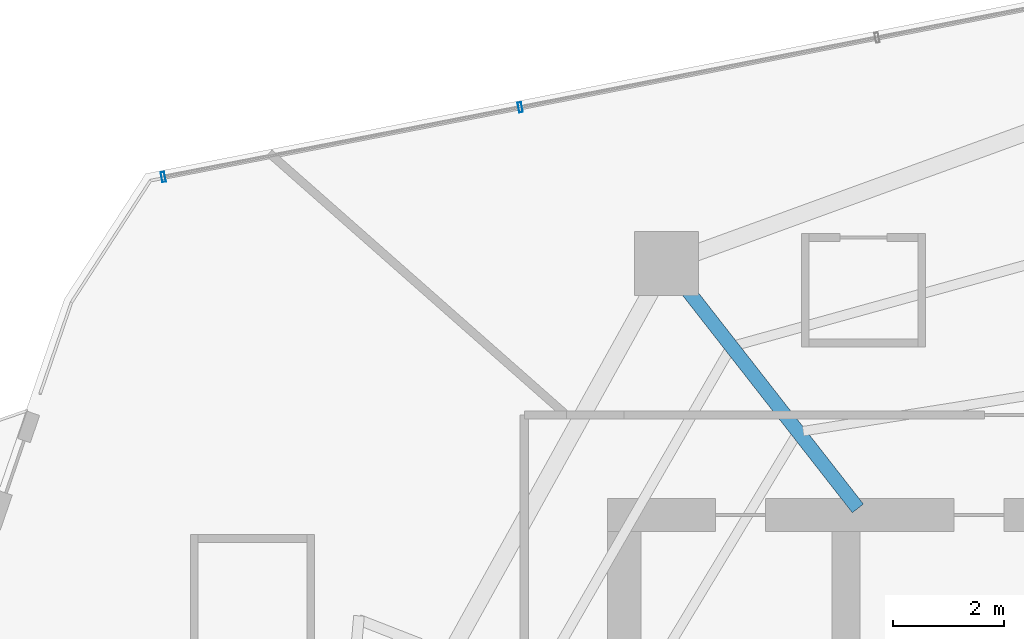
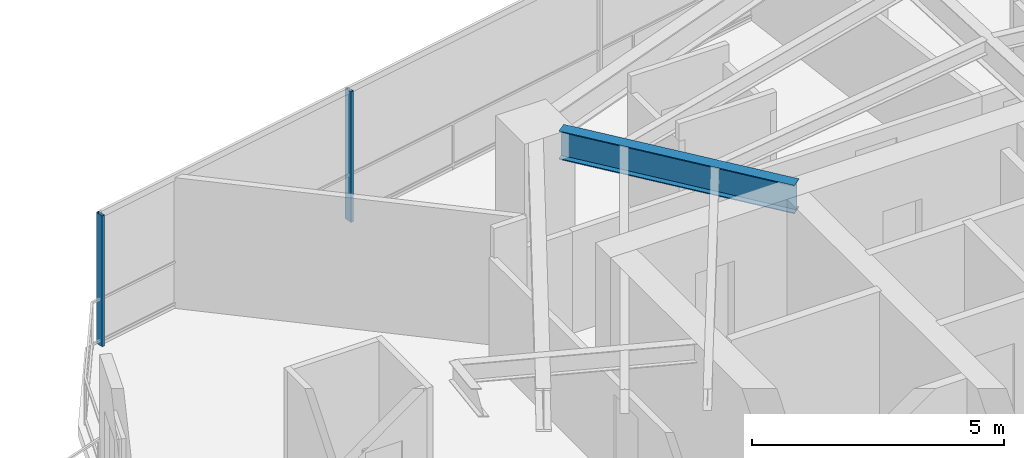
# One storey, part 15 of 27: 2 members, 1 beam, 1 element without a shape of its own.
"""IFC4 building model written with IfcOpenShell, lengths in metres."""

from ifc_helpers import new_model, si_unit, direction, frame, origin, origin_2d, place, context, subcontext, project, spatial, hollow_rectangle, i_section, extrude, material, layer, layer_set, material_profile, profile_set, type_object, element, aggregate, save


model = new_model("IFC4")

# Units and contexts
model_context = context("Model", 3, precision=1e-05, world=origin(), true_north=direction((0.0, 1.0)))
body_context = subcontext(model_context, "Body", "Model", "MODEL_VIEW")
ifc_project = project(units=[si_unit("LENGTHUNIT", "METRE"), si_unit("AREAUNIT", "SQUARE_METRE"), si_unit("VOLUMEUNIT", "CUBIC_METRE"), si_unit("PLANEANGLEUNIT", "RADIAN"), si_unit("MASSUNIT", "GRAM", prefix="KILO")], contexts=[model_context])

# Site, building, storey
site_placement = place(None, origin())
site = spatial("IfcSite", under=ifc_project, at=site_placement, CompositionType="ELEMENT")
building_placement = place(site_placement, origin())
building = spatial("IfcBuilding", under=site, at=building_placement, Name="Qarnah Convention Tower", CompositionType="ELEMENT")
storey_placement = place(building_placement, frame((0.0, 0.0, 107.39990234375)))
storey = spatial("IfcBuildingStorey", under=building, at=storey_placement, Name="L28", CompositionType="ELEMENT", Elevation=107.39990234375)

# Beam
ifc_material_1 = material(Name="Structural steel S355JR", Category="steel")
ifc_material_profile_1 = material_profile(ifc_material_1, i_section(OverallWidth=0.25390625, OverallDepth=0.68798828125, WebThickness=0.012939453125, FlangeThickness=0.02099609375, at=origin_2d()), Name="W690X152")
ifc_profile_set_1 = profile_set([ifc_material_profile_1], Name="Structural steel S355JR")
beam_type = type_object("IfcBeamType", Name="BM-RAD-W690", PredefinedType="BEAM", material=ifc_profile_set_1)
beam_placement = place(storey_placement, frame((31.013916015625, 34.318115234375, 2.826171875), z_axis=(-0.61565061353, 0.788019239651, 0.0), x_axis=(-0.788019239651, -0.61565061353, 0.0)))
element("IfcBeam", 1, at=beam_placement, inside=storey, type_object=beam_type, Name="L28 beam BM-L28-RAD-04", PredefinedType="BEAM", context=body_context, shape_type="SweptSolid", body=[
    extrude(i_section(OverallWidth=0.25390625, OverallDepth=0.68798828125, WebThickness=0.012939453125, FlangeThickness=0.02099609375, at=origin_2d()), origin(), (0.0, 0.0, 1.0), 5.046630859375),
])

# Curtain wall, members
ifc_material_2 = material(Name="Tempered Low-E dark glass", Category="glass")
ifc_layer = layer(ifc_material_2, 0.169921875)
ifc_layer_set = layer_set([ifc_layer], Name="Tempered Low-E dark glass")
curtain_wall_type = type_object("IfcCurtainWallType", Name="CWS-02", PredefinedType="NOTDEFINED", material=ifc_layer_set)
curtain_wall_placement = place(storey_placement, origin())
curtain_wall = element("IfcCurtainWall", 2, at=curtain_wall_placement, inside=storey, type_object=curtain_wall_type, Name="L28 unitised curtain wall CW-L28-F1", PredefinedType="NOTDEFINED")
ifc_material_3 = material(Name="Black anodised aluminium", Category="aluminium")
ifc_material_profile_2 = material_profile(ifc_material_3, hollow_rectangle(XDim=0.06494140625, YDim=0.179931640625, WallThickness=0.00390625, at=origin_2d()), Name="MUL-65X180")
ifc_profile_set_2 = profile_set([ifc_material_profile_2], Name="Black anodised aluminium")
member_type = type_object("IfcMemberType", Name="MUL-T2", PredefinedType="MULLION", material=ifc_profile_set_2)
member_1_placement = place(storey_placement, frame((18.492919921875, 40.2919921875, 0.0), z_axis=(0.0, 0.0, 1.0), x_axis=(0.981494509817, 0.191490279646, 0.0)))
member_1 = element("IfcMember", 3, at=member_1_placement, type_object=member_type, Name="CW-L28-F1 mullion 1", PredefinedType="MULLION", context=body_context, shape_type="SweptSolid", body=[
    extrude(hollow_rectangle(XDim=0.06494140625, YDim=0.179931640625, WallThickness=0.00390625, at=origin_2d()), origin(), (0.0, 0.0, 1.0), 3.170166015625),
])
member_2_placement = place(storey_placement, frame((24.926513671875, 41.547119140625, 0.0), z_axis=(0.0, 0.0, 1.0), x_axis=(0.981494509817, 0.191490279646, 0.0)))
member_2 = element("IfcMember", 4, at=member_2_placement, type_object=member_type, Name="CW-L28-F1 mullion 2", PredefinedType="MULLION", context=body_context, shape_type="SweptSolid", body=[
    extrude(hollow_rectangle(XDim=0.06494140625, YDim=0.179931640625, WallThickness=0.00390625, at=origin_2d()), origin(), (0.0, 0.0, 1.0), 3.170166015625),
])
aggregate(curtain_wall, [member_1, member_2])

save(model, "model.ifc")
